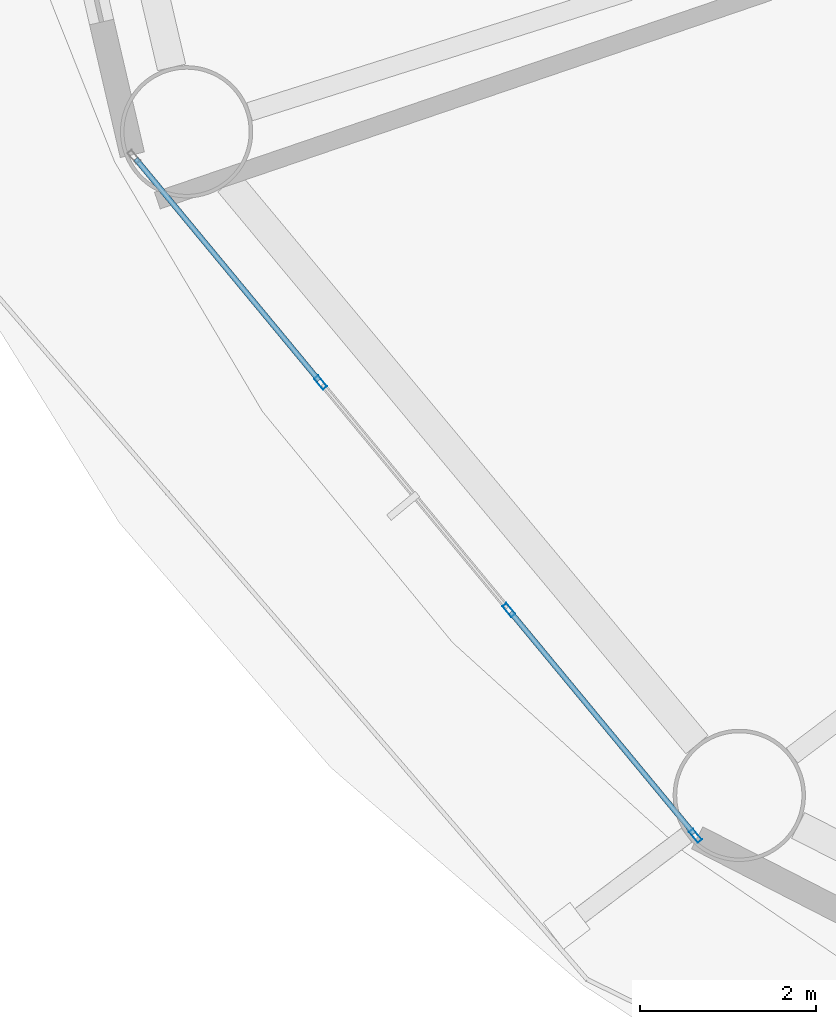
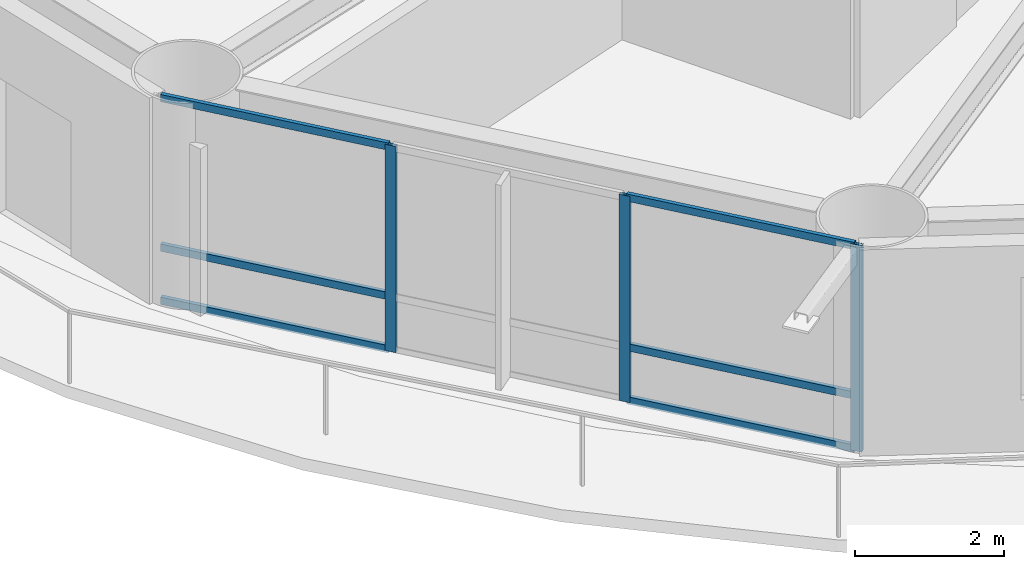
# One storey, part 2 of 26: 9 members, 1 element without a shape of its own.
"""IFC4 building model written with IfcOpenShell, lengths in metres."""

from ifc_helpers import new_model, si_unit, direction, frame, origin, origin_2d, place, context, subcontext, project, spatial, hollow_rectangle, extrude, material, layer, layer_set, material_profile, profile_set, type_object, element, aggregate, save


model = new_model("IFC4")

# Units and contexts
model_context = context("Model", 3, precision=1e-05, world=origin(), true_north=direction((0.0, 1.0)))
body_context = subcontext(model_context, "Body", "Model", "MODEL_VIEW")
ifc_project = project(units=[si_unit("LENGTHUNIT", "METRE"), si_unit("AREAUNIT", "SQUARE_METRE"), si_unit("VOLUMEUNIT", "CUBIC_METRE"), si_unit("PLANEANGLEUNIT", "RADIAN"), si_unit("MASSUNIT", "GRAM", prefix="KILO")], contexts=[model_context])

# Site, building, storey
site_placement = place(None, origin())
site = spatial("IfcSite", under=ifc_project, at=site_placement, CompositionType="ELEMENT")
building_placement = place(site_placement, origin())
building = spatial("IfcBuilding", under=site, at=building_placement, Name="Sarneth Arch Tower", CompositionType="ELEMENT")
storey_placement = place(building_placement, frame((0.0, 0.0, 35.39990234375)))
storey = spatial("IfcBuildingStorey", under=building, at=storey_placement, Name="L07", CompositionType="ELEMENT", Elevation=35.39990234375)

# Curtain wall, members
ifc_material_1 = material(Name="Anodised aluminium Type AA25 and solar-control low-e laminated IGU", Category="aluminium")
ifc_layer = layer(ifc_material_1, 0.159912109375)
ifc_layer_set = layer_set([ifc_layer], Name="Anodised aluminium Type AA25 and solar-control low-e laminated IGU")
curtain_wall_type = type_object("IfcCurtainWallType", Name="CW-HOTEL-LOW", PredefinedType="NOTDEFINED", material=ifc_layer_set)
curtain_wall_placement = place(storey_placement, origin())
curtain_wall = element("IfcCurtainWall", 1, at=curtain_wall_placement, inside=storey, type_object=curtain_wall_type, Name="L07 Unitised curtain wall facet 10", PredefinedType="NOTDEFINED")
ifc_material_2 = material(Name="Anodised Aluminium 6063-T6", Category="aluminium")
ifc_material_profile_1 = material_profile(ifc_material_2, hollow_rectangle(XDim=0.06005859375, YDim=0.159912109375, WallThickness=0.00390625, at=origin_2d()), Name="AL-MULL-160x60x4")
ifc_profile_set_1 = profile_set([ifc_material_profile_1], Name="Anodised Aluminium 6063-T6")
member_type_1 = type_object("IfcMemberType", Name="CW-MULLION", PredefinedType="MULLION", material=ifc_profile_set_1)
member_1_placement = place(storey_placement, frame((21.5546875, 30.279052734375, 0.0), z_axis=(0.0, 0.0, 1.0), x_axis=(0.770622960278, 0.637291340827, 0.0)))
member_1 = element("IfcMember", 2, at=member_1_placement, type_object=member_type_1, Name="CW-SYS-3 mullion 2", PredefinedType="MULLION", context=body_context, shape_type="SweptSolid", body=[
    extrude(hollow_rectangle(XDim=0.06005859375, YDim=0.159912109375, WallThickness=0.00390625, at=origin_2d()), origin(), (0.0, 0.0, 1.0), 3.380126953125),
])
member_2_placement = place(storey_placement, frame((23.690185546875, 27.69677734375, 0.0), z_axis=(0.0, 0.0, 1.0), x_axis=(0.770622960278, 0.637291340827, 0.0)))
member_2 = element("IfcMember", 3, at=member_2_placement, type_object=member_type_1, Name="CW-SYS-3 mullion 3", PredefinedType="MULLION", context=body_context, shape_type="SweptSolid", body=[
    extrude(hollow_rectangle(XDim=0.06005859375, YDim=0.159912109375, WallThickness=0.00390625, at=origin_2d()), origin(), (0.0, 0.0, 1.0), 3.380126953125),
])
member_3_placement = place(storey_placement, frame((25.806640625, 25.137451171875, 0.0), z_axis=(0.0, 0.0, 1.0), x_axis=(0.770622960278, 0.637291340827, 0.0)))
member_3 = element("IfcMember", 4, at=member_3_placement, type_object=member_type_1, Name="CW-SYS-3 mullion 4", PredefinedType="MULLION", context=body_context, shape_type="SweptSolid", body=[
    extrude(hollow_rectangle(XDim=0.06005859375, YDim=0.159912109375, WallThickness=0.00390625, at=origin_2d()), origin(), (0.0, 0.0, 1.0), 3.380126953125),
])
ifc_material_3 = material(Name="Anodised Aluminium 6063-T6", Category="aluminium")
ifc_material_profile_2 = material_profile(ifc_material_3, hollow_rectangle(XDim=0.06005859375, YDim=0.1201171875, WallThickness=0.00390625, at=origin_2d()), Name="AL-TRAN-120x60x4")
ifc_profile_set_2 = profile_set([ifc_material_profile_2], Name="Anodised Aluminium 6063-T6")
member_type_2 = type_object("IfcMemberType", Name="CW-TRANSOM", PredefinedType="USERDEFINED", material=ifc_profile_set_2)
member_4_placement = place(storey_placement, frame((19.457275390625, 32.815185546875, 0.030029296875), z_axis=(0.63733019572, -0.77059082633, 0.0), x_axis=(0.77059082633, 0.63733019572, 0.0)))
member_4 = element("IfcMember", 5, at=member_4_placement, type_object=member_type_2, Name="CW-SYS-3 transom 1.1", ObjectType="TRANSOM", PredefinedType="USERDEFINED", context=body_context, shape_type="SweptSolid", body=[
    extrude(hollow_rectangle(XDim=0.06005859375, YDim=0.1201171875, WallThickness=0.00390625, at=origin_2d()), origin(), (0.0, 0.0, 1.0), 3.260986328125),
])
member_5_placement = place(storey_placement, frame((19.457275390625, 32.815185546875, 0.900146484375), z_axis=(0.63733019572, -0.77059082633, 0.0), x_axis=(0.77059082633, 0.63733019572, 0.0)))
member_5 = element("IfcMember", 6, at=member_5_placement, type_object=member_type_2, Name="CW-SYS-3 transom 1.2", ObjectType="TRANSOM", PredefinedType="USERDEFINED", context=body_context, shape_type="SweptSolid", body=[
    extrude(hollow_rectangle(XDim=0.06005859375, YDim=0.1201171875, WallThickness=0.00390625, at=origin_2d()), origin(), (0.0, 0.0, 1.0), 3.260986328125),
])
member_6_placement = place(storey_placement, frame((19.457275390625, 32.815185546875, 3.35009765625), z_axis=(0.63733019572, -0.77059082633, 0.0), x_axis=(0.77059082633, 0.63733019572, 0.0)))
member_6 = element("IfcMember", 7, at=member_6_placement, type_object=member_type_2, Name="CW-SYS-3 transom 1.3", ObjectType="TRANSOM", PredefinedType="USERDEFINED", context=body_context, shape_type="SweptSolid", body=[
    extrude(hollow_rectangle(XDim=0.06005859375, YDim=0.1201171875, WallThickness=0.00390625, at=origin_2d()), origin(), (0.0, 0.0, 1.0), 3.260986328125),
])
member_7_placement = place(storey_placement, frame((23.70947265625, 27.673583984375, 0.030029296875), z_axis=(0.637285736625, -0.770627594817, 0.0), x_axis=(0.770627594817, 0.637285736625, 0.0)))
member_7 = element("IfcMember", 8, at=member_7_placement, type_object=member_type_2, Name="CW-SYS-3 transom 3.1", ObjectType="TRANSOM", PredefinedType="USERDEFINED", context=body_context, shape_type="SweptSolid", body=[
    extrude(hollow_rectangle(XDim=0.06005859375, YDim=0.1201171875, WallThickness=0.00390625, at=origin_2d()), origin(), (0.0, 0.0, 1.0), 3.260986328125),
])
member_8_placement = place(storey_placement, frame((23.70947265625, 27.673583984375, 0.900146484375), z_axis=(0.637285736625, -0.770627594817, 0.0), x_axis=(0.770627594817, 0.637285736625, 0.0)))
member_8 = element("IfcMember", 9, at=member_8_placement, type_object=member_type_2, Name="CW-SYS-3 transom 3.2", ObjectType="TRANSOM", PredefinedType="USERDEFINED", context=body_context, shape_type="SweptSolid", body=[
    extrude(hollow_rectangle(XDim=0.06005859375, YDim=0.1201171875, WallThickness=0.00390625, at=origin_2d()), origin(), (0.0, 0.0, 1.0), 3.260986328125),
])
member_9_placement = place(storey_placement, frame((23.70947265625, 27.673583984375, 3.35009765625), z_axis=(0.637285736625, -0.770627594817, 0.0), x_axis=(0.770627594817, 0.637285736625, 0.0)))
member_9 = element("IfcMember", 10, at=member_9_placement, type_object=member_type_2, Name="CW-SYS-3 transom 3.3", ObjectType="TRANSOM", PredefinedType="USERDEFINED", context=body_context, shape_type="SweptSolid", body=[
    extrude(hollow_rectangle(XDim=0.06005859375, YDim=0.1201171875, WallThickness=0.00390625, at=origin_2d()), origin(), (0.0, 0.0, 1.0), 3.260986328125),
])
aggregate(curtain_wall, [member_1, member_2, member_3, member_4, member_5, member_6, member_7, member_8, member_9])

save(model, "model.ifc")
